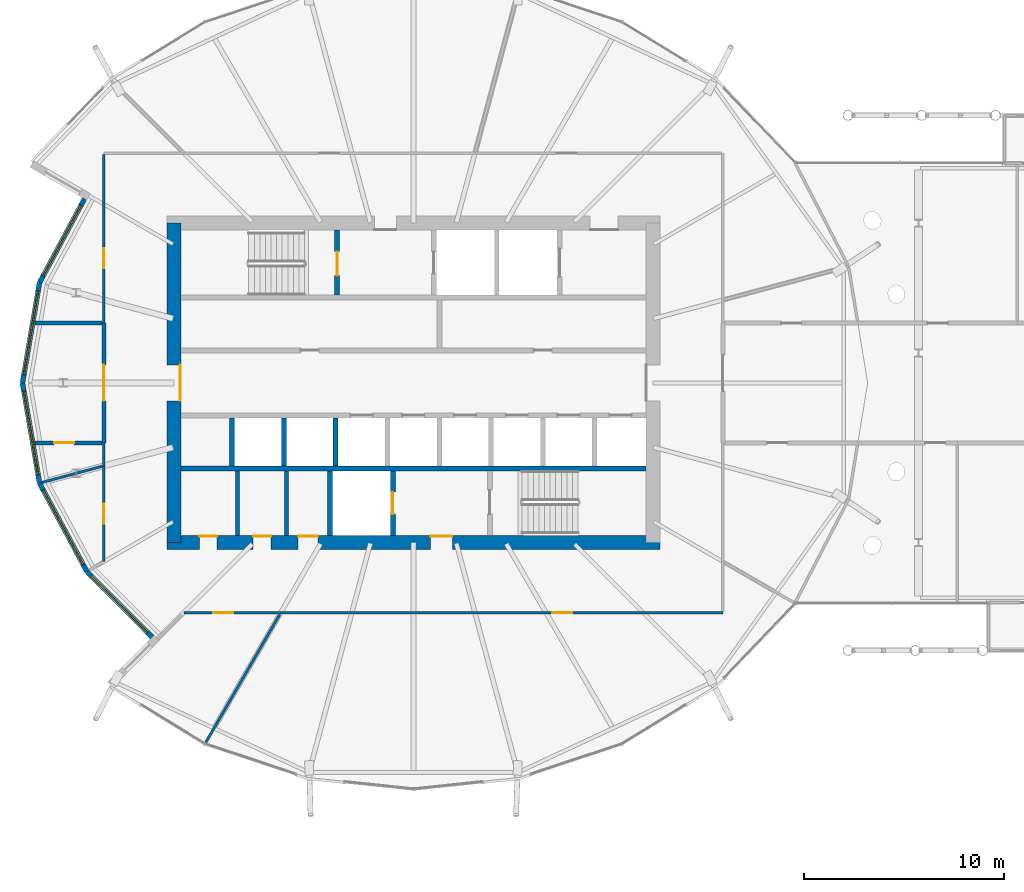
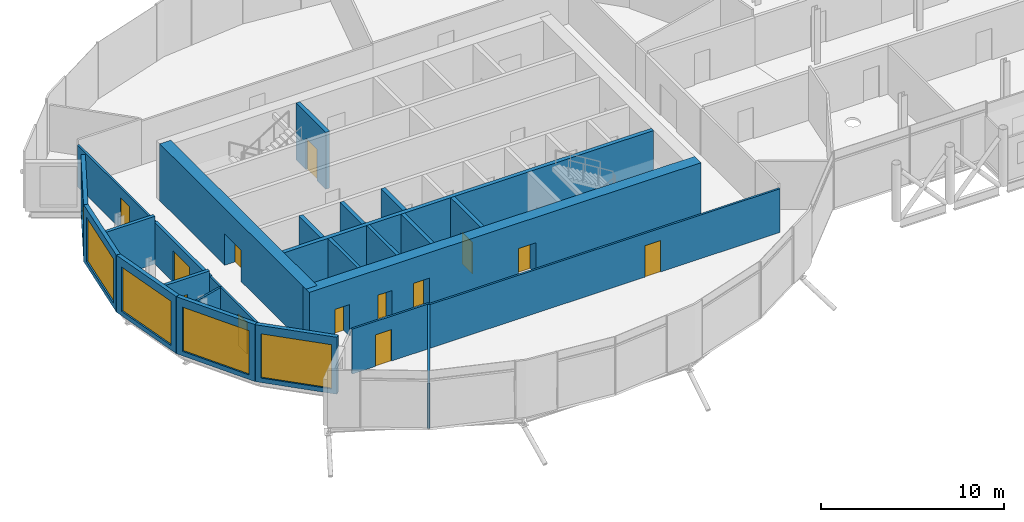
# One storey, part 24 of 40: 26 walls, 13 doors, 5 windows, 18 openings.
"""IFC4 building model written with IfcOpenShell, lengths in metres."""

import ifcopenshell
import ifcopenshell.guid

model = None  # the IFC model being written
_history = None  # IfcOwnerHistory: only IFC2X3 demands one
_inside = {}  # id of a spatial element -> (the spatial element, [elements in it])
_under = {}  # id of a project, library or spatial element -> (it, [spatial elements below it])
_declared = {}  # id of a project -> (the project, [libraries it declares])
_typed = {}  # id of a type object -> (the type object, [elements of that type])
_made_of = {}  # id of a material, layer set ... -> (it, [elements and type objects made of it])


def new_model(schema):
    """Start an empty IFC model of exactly this schema.

    Asked for "IFC4X3", IfcOpenShell would pick the latest addendum, in which some entities
    have other attributes; the version numbers below select the first issue.
    IFC2X3 requires an IfcOwnerHistory on every rooted entity: one is made here for all.
    """
    global model, _history
    if schema == "IFC4X3":
        model = ifcopenshell.file(schema_version=(4, 3, 0, 0))
    else:
        model = ifcopenshell.file(schema=schema)
    _inside.clear()
    _under.clear()
    _declared.clear()
    _typed.clear()
    _made_of.clear()
    _history = None
    if model.schema == "IFC2X3":
        org = make("IfcOrganization", Name="unknown")
        user = make(
            "IfcPersonAndOrganization",
            ThePerson=make("IfcPerson", FamilyName="unknown"),
            TheOrganization=org,
        )
        app = make(
            "IfcApplication",
            ApplicationDeveloper=org,
            Version="unknown",
            ApplicationFullName="unknown",
            ApplicationIdentifier="unknown",
        )
        _history = make(
            "IfcOwnerHistory",
            OwningUser=user,
            OwningApplication=app,
            ChangeAction="ADDED",
            CreationDate=0,
        )
    return model


def make(cls, **values):
    """One entity of the class cls with the attributes given. An attribute that is None is left unset."""
    return model.create_entity(
        cls, **{name: value for name, value in values.items() if value is not None}
    )


def rooted(cls, **values):
    """An entity with a GlobalId (a new one), such as an element, a storey or a relation."""
    return make(cls, GlobalId=ifcopenshell.guid.new(), OwnerHistory=_history, **values)


def si_unit(unit_type, name, prefix=None):
    """IfcSIUnit, for example si_unit("LENGTHUNIT", "METRE", prefix="MILLI")."""
    return make("IfcSIUnit", UnitType=unit_type, Prefix=prefix, Name=name)


def assignment(units):
    """IfcUnitAssignment: the units of a project."""
    return None if units is None else make("IfcUnitAssignment", Units=units)


def point(xyz):
    """IfcCartesianPoint."""
    return None if xyz is None else make("IfcCartesianPoint", Coordinates=xyz)


def direction(xyz):
    """IfcDirection."""
    return None if xyz is None else make("IfcDirection", DirectionRatios=xyz)


def frame(location, z_axis=None, x_axis=None):
    """IfcAxis2Placement3D, a coordinate frame: its origin and axes. An axis left out is left unset."""
    return make(
        "IfcAxis2Placement3D",
        Location=point(location),
        Axis=direction(z_axis),
        RefDirection=direction(x_axis),
    )


def frame_2d(location, x_axis=None):
    """IfcAxis2Placement2D, a coordinate frame in the plane: its origin and x axis."""
    return make(
        "IfcAxis2Placement2D", Location=point(location), RefDirection=direction(x_axis)
    )


def origin():
    """The frame at (0, 0, 0) with its axes left unset."""
    return frame((0.0, 0.0, 0.0))


def place(relative_to, where):
    """IfcLocalPlacement: puts the frame where relative to a parent placement (None: the world)."""
    return make(
        "IfcLocalPlacement", PlacementRelTo=relative_to, RelativePlacement=where
    )


def context(
    kind, dimensions, precision=None, world=None, true_north=None, identifier=None
):
    """IfcGeometricRepresentationContext, for example the 3D "Model" context."""
    return make(
        "IfcGeometricRepresentationContext",
        ContextIdentifier=identifier,
        ContextType=kind,
        CoordinateSpaceDimension=dimensions,
        Precision=precision,
        WorldCoordinateSystem=world,
        TrueNorth=true_north,
    )


def subcontext(parent, identifier, kind, view, scale=None):
    """IfcGeometricRepresentationSubContext, for example "Body" below "Model"."""
    return make(
        "IfcGeometricRepresentationSubContext",
        ContextIdentifier=identifier,
        ContextType=kind,
        ParentContext=parent,
        TargetScale=scale,
        TargetView=view,
    )


def project(units=None, contexts=None):
    """IfcProject with its units and contexts."""
    return rooted(
        "IfcProject",
        Name="project",
        RepresentationContexts=contexts,
        UnitsInContext=assignment(units),
    )


def spatial(cls, under=None, at=None, **own):
    """A site, building, storey or space (cls), placed at a placement, below another one or the project."""
    s = rooted(cls, ObjectPlacement=at, **own)
    if under is not None:
        _under.setdefault(under.id(), (under, []))[1].append(s)
    return s


def profile(cls, at=None, kind="AREA", **sizes):
    """A parametric profile (cls). Its sizes go by their IFC names, for example OverallWidth=200.0."""
    return make(cls, ProfileType=kind, Position=at, **sizes)


def rectangle(**sizes):
    """IfcRectangleProfileDef."""
    return profile("IfcRectangleProfileDef", **sizes)


def extrude(swept, where, along, depth):
    """IfcExtrudedAreaSolid: the profile swept, set in the frame where, extruded along a direction by depth."""
    return make(
        "IfcExtrudedAreaSolid",
        SweptArea=swept,
        Position=where,
        ExtrudedDirection=direction(along),
        Depth=depth,
    )


def shape(context_of_items, identifier, shape_type, items):
    """IfcShapeRepresentation: the items that make up one representation, for example the "Body"."""
    return make(
        "IfcShapeRepresentation",
        ContextOfItems=context_of_items,
        RepresentationIdentifier=identifier,
        RepresentationType=shape_type,
        Items=items,
    )


def material(Name=None, Category=None):
    """IfcMaterial."""
    return make("IfcMaterial", Name=Name, Category=Category)


def layer(
    of_material, thickness, ventilated=None, Name=None, Category=None, Priority=None
):
    """IfcMaterialLayer: one layer of a wall or slab, of a material (None: an air gap)."""
    return make(
        "IfcMaterialLayer",
        Material=of_material,
        LayerThickness=thickness,
        IsVentilated=ventilated,
        Name=Name,
        Category=Category,
        Priority=Priority,
    )


def layer_set(layers, Name=None):
    """IfcMaterialLayerSet."""
    return make("IfcMaterialLayerSet", MaterialLayers=layers, LayerSetName=Name)


def made_of(thing, what):
    """Note that an element or type object is made of a material, layer set ...; save() writes the relation."""
    if what is not None:
        _made_of.setdefault(what.id(), (what, []))[1].append(thing)
    return thing


def type_object(cls, material=None, **own):
    """A type object (cls), such as IfcWallType, which elements share."""
    return made_of(rooted(cls, **own), material)


def element(
    cls,
    number,
    at=None,
    inside=None,
    cuts=None,
    type_object=None,
    material=None,
    context=None,
    identifier="Body",
    shape_type=None,
    held_by="IfcProductDefinitionShape",
    body=None,
    shapes=None,
    **own,
):
    """One element of the class cls, such as IfcWall. Its Tag is "e" and its number.

    at: its placement. inside: the storey or other place that contains it. cuts: it is an
    opening in that element (IfcRelVoidsElement). A single representation is given by context,
    identifier, shape_type and body (its items); several are given by shapes. held_by: the class
    of the entity that holds the representations. save() writes the other relations.
    """
    e = rooted(cls, Tag="e%d" % number, ObjectPlacement=at, **own)
    if body is not None:
        shapes = [shape(context, identifier, shape_type, body)]
    if shapes is not None:
        e.Representation = make(held_by, Representations=shapes)
    if inside is not None:
        _inside.setdefault(inside.id(), (inside, []))[1].append(e)
    if cuts is not None:
        rooted(
            "IfcRelVoidsElement", RelatingBuildingElement=cuts, RelatedOpeningElement=e
        )
    if type_object is not None:
        _typed.setdefault(type_object.id(), (type_object, []))[1].append(e)
    return made_of(e, material)


def fill(opening, filler):
    """IfcRelFillsElement: the door or window that sits in an opening."""
    return rooted(
        "IfcRelFillsElement",
        RelatingOpeningElement=opening,
        RelatedBuildingElement=filler,
    )


def aggregate(whole, parts):
    """IfcRelAggregates: a whole, such as a stair, and the parts it consists of."""
    return rooted("IfcRelAggregates", RelatingObject=whole, RelatedObjects=parts)


def save(model, path):
    """Write the relations noted so far, then the file.

    IfcRelAggregates (storeys below a building ...), IfcRelContainedInSpatialStructure (elements
    in a storey), IfcRelDefinesByType, IfcRelAssociatesMaterial and IfcRelDeclares: one each for
    every whole, place, type object, material and project.
    """
    for whole, parts in _under.values():
        aggregate(whole, parts)
    for where, things in _inside.values():
        rooted(
            "IfcRelContainedInSpatialStructure",
            RelatedElements=things,
            RelatingStructure=where,
        )
    for kind, things in _typed.values():
        rooted("IfcRelDefinesByType", RelatedObjects=things, RelatingType=kind)
    for what, things in _made_of.values():
        rooted("IfcRelAssociatesMaterial", RelatedObjects=things, RelatingMaterial=what)
    for by, libraries in _declared.values():
        rooted("IfcRelDeclares", RelatingContext=by, RelatedDefinitions=libraries)
    model.write(path)


model = new_model("IFC4")

# Units and contexts
model_context = context("Model", 3, precision=1e-05, world=origin(), true_north=direction((0.0, 1.0)))
body_context = subcontext(model_context, "Body", "Model", "MODEL_VIEW")
ifc_project = project(units=[si_unit("LENGTHUNIT", "METRE"), si_unit("AREAUNIT", "SQUARE_METRE"), si_unit("VOLUMEUNIT", "CUBIC_METRE"), si_unit("PLANEANGLEUNIT", "RADIAN"), si_unit("MASSUNIT", "GRAM", prefix="KILO")], contexts=[model_context])

# Site, building, storey
site_placement = place(None, origin())
site = spatial("IfcSite", under=ifc_project, at=site_placement, CompositionType="ELEMENT")
building_placement = place(site_placement, origin())
building = spatial("IfcBuilding", under=site, at=building_placement, Name="Rimbun Link Towers", CompositionType="ELEMENT")
storey_placement = place(building_placement, frame((0.0, 0.0, 150.60009765625)))
storey = spatial("IfcBuildingStorey", under=building, at=storey_placement, Name="L36", CompositionType="ELEMENT", Elevation=150.60009765625)

# Wall, opening, window
ifc_material_1 = material(Name="Dark enamelled glass spandrel on insulated aluminium backpan", Category="aluminium")
ifc_layer_1 = layer(ifc_material_1, 0.25)
ifc_layer_set_1 = layer_set([ifc_layer_1], Name="CS dark enamelled spandrel wall 250")
wall_type_1 = type_object("IfcWallType", Name="CS dark enamelled spandrel wall 250", PredefinedType="STANDARD", material=ifc_layer_set_1)
wall_1_placement = place(storey_placement, frame((-50.4755859375, 5.0263671875, 0.0), z_axis=(0.0, 0.0, 1.0), x_axis=(0.47248174368, 0.881340457422, 0.0)))
wall_1 = element("IfcWall", 1, at=wall_1_placement, inside=storey, type_object=wall_type_1, Name="Crease spandrel wall", PredefinedType="STANDARD", context=body_context, shape_type="SweptSolid", body=[
    extrude(rectangle(XDim=4.76220703125, YDim=0.25, at=frame_2d((2.381103515625, 0.0))), origin(), (0.0, 0.0, 1.0), 3.7998046875),
])
opening_1_placement = place(wall_1_placement, frame((0.381103515625, 0.0, 0.300048828125)))
opening_1 = element("IfcOpeningElement", 2, at=opening_1_placement, cuts=wall_1, Name="Opening WR40H295", PredefinedType="OPENING", context=body_context, shape_type="SweptSolid", body=[
    extrude(rectangle(XDim=4.0, YDim=2.949951171875, at=frame_2d((2.0, 1.47509765625))), frame((0.0, 0.135009765625, 0.0), z_axis=(0.0, -1.0, 0.0), x_axis=(1.0, 0.0, 0.0)), (0.0, 0.0, 1.0), 0.27001953125),
])
ifc_material_2 = material(Name="Aluminium framed fixed window, dark tinted low-e glass", Category="aluminium")
window_type_1 = type_object("IfcWindowType", Name="WR ribbon window 4000X2950", PartitioningType="SINGLE_PANEL", PredefinedType="WINDOW", material=ifc_material_2)
window_1_placement = place(opening_1_placement, origin())
window_1 = element("IfcWindow", 3, at=window_1_placement, inside=storey, type_object=window_type_1, Name="Crease ribbon window", OverallHeight=2.949951171875, OverallWidth=4.0, PartitioningType="SINGLE_PANEL", PredefinedType="WINDOW", context=body_context, shape_type="SweptSolid", body=[
    extrude(rectangle(XDim=4.0, YDim=2.949951171875, at=frame_2d((2.0, 1.47509765625))), frame((0.0, 0.030029296875, 0.0), z_axis=(0.0, -1.0, 0.0), x_axis=(1.0, 0.0, 0.0)), (0.0, 0.0, 1.0), 0.06005859375),
])
fill(opening_1, window_1)

wall_2_placement = place(storey_placement, frame((-51.330322265625, 0.0, 0.0), z_axis=(0.0, 0.0, 1.0), x_axis=(0.167643894896, 0.985847617284, 0.0)))
wall_2 = element("IfcWall", 4, at=wall_2_placement, inside=storey, type_object=wall_type_1, Name="Crease spandrel wall", PredefinedType="STANDARD", context=body_context, shape_type="SweptSolid", body=[
    extrude(rectangle(XDim=5.0986328125, YDim=0.25, at=frame_2d((2.54931640625, 0.0))), origin(), (0.0, 0.0, 1.0), 3.7998046875),
])
opening_2_placement = place(wall_2_placement, frame((0.42431640625, 0.0, 0.300048828125)))
opening_2 = element("IfcOpeningElement", 5, at=opening_2_placement, cuts=wall_2, Name="Opening WR42H295", PredefinedType="OPENING", context=body_context, shape_type="SweptSolid", body=[
    extrude(rectangle(XDim=4.25, YDim=2.949951171875, at=frame_2d((2.125, 1.47509765625))), frame((0.0, 0.135009765625, 0.0), z_axis=(0.0, -1.0, 0.0), x_axis=(1.0, 0.0, 0.0)), (0.0, 0.0, 1.0), 0.27001953125),
])
ifc_material_3 = material(Name="Aluminium framed fixed window, dark tinted low-e glass", Category="aluminium")
window_type_2 = type_object("IfcWindowType", Name="WR ribbon window 4250X2950", PartitioningType="SINGLE_PANEL", PredefinedType="WINDOW", material=ifc_material_3)
window_2_placement = place(opening_2_placement, origin())
window_2 = element("IfcWindow", 6, at=window_2_placement, inside=storey, type_object=window_type_2, Name="Crease ribbon window", OverallHeight=2.949951171875, OverallWidth=4.25, PartitioningType="SINGLE_PANEL", PredefinedType="WINDOW", context=body_context, shape_type="SweptSolid", body=[
    extrude(rectangle(XDim=4.25, YDim=2.949951171875, at=frame_2d((2.125, 1.47509765625))), frame((0.0, 0.030029296875, 0.0), z_axis=(0.0, -1.0, 0.0), x_axis=(1.0, 0.0, 0.0)), (0.0, 0.0, 1.0), 0.06005859375),
])
fill(opening_2, window_2)

wall_3_placement = place(storey_placement, frame((-50.4755859375, -5.0263671875, 0.0), z_axis=(0.0, 0.0, 1.0), x_axis=(-0.167643894896, 0.985847617284, 0.0)))
wall_3 = element("IfcWall", 7, at=wall_3_placement, inside=storey, type_object=wall_type_1, Name="Crease spandrel wall", PredefinedType="STANDARD", context=body_context, shape_type="SweptSolid", body=[
    extrude(rectangle(XDim=5.0986328125, YDim=0.25, at=frame_2d((2.54931640625, 0.0))), origin(), (0.0, 0.0, 1.0), 3.7998046875),
])
opening_3_placement = place(wall_3_placement, frame((0.42431640625, 0.0, 0.300048828125)))
opening_3 = element("IfcOpeningElement", 8, at=opening_3_placement, cuts=wall_3, Name="Opening WR42H295", PredefinedType="OPENING", context=body_context, shape_type="SweptSolid", body=[
    extrude(rectangle(XDim=4.25, YDim=2.949951171875, at=frame_2d((2.125, 1.47509765625))), frame((0.0, 0.135009765625, 0.0), z_axis=(0.0, -1.0, 0.0), x_axis=(1.0, 0.0, 0.0)), (0.0, 0.0, 1.0), 0.27001953125),
])
window_3_placement = place(opening_3_placement, origin())
window_3 = element("IfcWindow", 9, at=window_3_placement, inside=storey, type_object=window_type_2, Name="Crease ribbon window", OverallHeight=2.949951171875, OverallWidth=4.25, PartitioningType="SINGLE_PANEL", PredefinedType="WINDOW", context=body_context, shape_type="SweptSolid", body=[
    extrude(rectangle(XDim=4.25, YDim=2.949951171875, at=frame_2d((2.125, 1.47509765625))), frame((0.0, 0.030029296875, 0.0), z_axis=(0.0, -1.0, 0.0), x_axis=(1.0, 0.0, 0.0)), (0.0, 0.0, 1.0), 0.06005859375),
])
fill(opening_3, window_3)

wall_4_placement = place(storey_placement, frame((-48.1005859375, -9.45654296875, 0.0), z_axis=(0.0, 0.0, 1.0), x_axis=(-0.472482867298, 0.881339855056, 0.0)))
wall_4 = element("IfcWall", 10, at=wall_4_placement, inside=storey, type_object=wall_type_1, Name="Crease spandrel wall", PredefinedType="STANDARD", context=body_context, shape_type="SweptSolid", body=[
    extrude(rectangle(XDim=5.026611328125, YDim=0.25, at=frame_2d((2.51318359375, 0.0))), origin(), (0.0, 0.0, 1.0), 3.7998046875),
])
opening_4_placement = place(wall_4_placement, frame((0.38818359375, 0.0, 0.300048828125)))
opening_4 = element("IfcOpeningElement", 11, at=opening_4_placement, cuts=wall_4, Name="Opening WR42H295", PredefinedType="OPENING", context=body_context, shape_type="SweptSolid", body=[
    extrude(rectangle(XDim=4.25, YDim=2.949951171875, at=frame_2d((2.125, 1.47509765625))), frame((0.0, 0.135009765625, 0.0), z_axis=(0.0, -1.0, 0.0), x_axis=(1.0, 0.0, 0.0)), (0.0, 0.0, 1.0), 0.27001953125),
])
window_4_placement = place(opening_4_placement, origin())
window_4 = element("IfcWindow", 12, at=window_4_placement, inside=storey, type_object=window_type_2, Name="Crease ribbon window", OverallHeight=2.949951171875, OverallWidth=4.25, PartitioningType="SINGLE_PANEL", PredefinedType="WINDOW", context=body_context, shape_type="SweptSolid", body=[
    extrude(rectangle(XDim=4.25, YDim=2.949951171875, at=frame_2d((2.125, 1.47509765625))), frame((0.0, 0.030029296875, 0.0), z_axis=(0.0, -1.0, 0.0), x_axis=(1.0, 0.0, 0.0)), (0.0, 0.0, 1.0), 0.06005859375),
])
fill(opening_4, window_4)

wall_5_placement = place(storey_placement, frame((-44.835693359375, -12.73193359375, 0.0), z_axis=(0.0, 0.0, 1.0), x_axis=(-0.705970868874, 0.708240871668, 0.0)))
wall_5 = element("IfcWall", 13, at=wall_5_placement, inside=storey, type_object=wall_type_1, Name="Crease spandrel wall", PredefinedType="STANDARD", context=body_context, shape_type="SweptSolid", body=[
    extrude(rectangle(XDim=4.624755859375, YDim=0.25, at=frame_2d((2.3125, 0.0))), origin(), (0.0, 0.0, 1.0), 3.7998046875),
])
opening_5_placement = place(wall_5_placement, frame((0.3125, 0.0, 0.300048828125)))
opening_5 = element("IfcOpeningElement", 14, at=opening_5_placement, cuts=wall_5, Name="Opening WR40H295", PredefinedType="OPENING", context=body_context, shape_type="SweptSolid", body=[
    extrude(rectangle(XDim=4.0, YDim=2.949951171875, at=frame_2d((2.0, 1.47509765625))), frame((0.0, 0.135009765625, 0.0), z_axis=(0.0, -1.0, 0.0), x_axis=(1.0, 0.0, 0.0)), (0.0, 0.0, 1.0), 0.27001953125),
])
window_5_placement = place(opening_5_placement, origin())
window_5 = element("IfcWindow", 15, at=window_5_placement, inside=storey, type_object=window_type_1, Name="Crease ribbon window", OverallHeight=2.949951171875, OverallWidth=4.0, PartitioningType="SINGLE_PANEL", PredefinedType="WINDOW", context=body_context, shape_type="SweptSolid", body=[
    extrude(rectangle(XDim=4.0, YDim=2.949951171875, at=frame_2d((2.0, 1.47509765625))), frame((0.0, 0.030029296875, 0.0), z_axis=(0.0, -1.0, 0.0), x_axis=(1.0, 0.0, 0.0)), (0.0, 0.0, 1.0), 0.06005859375),
])
fill(opening_5, window_5)

# Walls
ifc_material_4 = material(Name="Masonry blockwork", Category="masonry")
ifc_layer_2 = layer(ifc_material_4, 0.199951171875)
ifc_layer_set_2 = layer_set([ifc_layer_2], Name="Core partition 200")
wall_type_2 = type_object("IfcWallType", Name="Core partition 200", PredefinedType="PARTITIONING", material=ifc_layer_set_2)
for number, where, z_axis, x_axis, name in (
    (16, (-40.550048828125, -4.39990234375, 0.0), (0.0, 0.0, 1.0), (0.0, -1.0, 0.0), "L36 T1 core wall C1"),
    (17, (-38.10009765625, -4.39990234375, 0.0), (0.0, 0.0, 1.0), (0.0, -1.0, 0.0), "L36 T1 core wall C2"),
):
    element("IfcWall", number, at=place(storey_placement, frame(where, z_axis=z_axis, x_axis=x_axis)), inside=storey, type_object=wall_type_2, Name=name, PredefinedType="PARTITIONING", context=body_context, shape_type="SweptSolid", body=[
        extrude(rectangle(XDim=3.25, YDim=0.199951171875, at=frame_2d((1.625, 0.0))), origin(), (0.0, 0.0, 1.0), 3.7998046875),
    ])

# Wall, openings, doors
ifc_material_5 = material(Name="Concrete C60/75", Category="concrete")
ifc_layer_3 = layer(ifc_material_5, 0.699951171875)
ifc_layer_set_3 = layer_set([ifc_layer_3], Name="Core shear wall 700")
wall_type_3 = type_object("IfcWallType", Name="Core shear wall 700", PredefinedType="SHEAR", material=ifc_layer_set_3)
wall_6_placement = place(storey_placement, frame((-44.10009765625, -8.0, 0.0), z_axis=(0.0, 0.0, 1.0), x_axis=(1.0, 0.0, 0.0)))
wall_6 = element("IfcWall", 18, at=wall_6_placement, inside=storey, type_object=wall_type_3, Name="L36 T1 core wall S", PredefinedType="SHEAR", context=body_context, shape_type="SweptSolid", body=[
    extrude(rectangle(XDim=24.7001953125, YDim=0.699951171875, at=frame_2d((12.35009765625, 0.0))), origin(), (0.0, 0.0, 1.0), 3.7998046875),
])
opening_6_placement = place(wall_6_placement, frame((13.199951171875, 0.0, 0.0)))
opening_6 = element("IfcOpeningElement", 19, at=opening_6_placement, cuts=wall_6, Name="Opening C1DCF01S", PredefinedType="OPENING", context=body_context, shape_type="SweptSolid", body=[
    extrude(rectangle(XDim=1.10009765625, YDim=2.10009765625, at=frame_2d((0.550048828125, 1.050048828125))), frame((0.0, 0.35986328125, 0.0), z_axis=(0.0, -1.0, 0.0), x_axis=(1.0, 0.0, 0.0)), (0.0, 0.0, 1.0), 0.719970703125),
])
opening_7_placement = place(wall_6_placement, frame((1.625, 0.0, 0.0)))
opening_7 = element("IfcOpeningElement", 20, at=opening_7_placement, cuts=wall_6, Name="Opening C1DWC02S", PredefinedType="OPENING", context=body_context, shape_type="SweptSolid", body=[
    extrude(rectangle(XDim=0.89990234375, YDim=2.10009765625, at=frame_2d((0.449951171875, 1.050048828125))), frame((0.0, 0.35986328125, 0.0), z_axis=(0.0, -1.0, 0.0), x_axis=(1.0, 0.0, 0.0)), (0.0, 0.0, 1.0), 0.719970703125),
])
opening_8_placement = place(wall_6_placement, frame((4.324951171875, 0.0, 0.0)))
opening_8 = element("IfcOpeningElement", 21, at=opening_8_placement, cuts=wall_6, Name="Opening C1DWC03S", PredefinedType="OPENING", context=body_context, shape_type="SweptSolid", body=[
    extrude(rectangle(XDim=0.89990234375, YDim=2.10009765625, at=frame_2d((0.449951171875, 1.050048828125))), frame((0.0, 0.35986328125, 0.0), z_axis=(0.0, -1.0, 0.0), x_axis=(1.0, 0.0, 0.0)), (0.0, 0.0, 1.0), 0.719970703125),
])
opening_9_placement = place(wall_6_placement, frame((6.574951171875, 0.0, 0.0)))
opening_9 = element("IfcOpeningElement", 22, at=opening_9_placement, cuts=wall_6, Name="Opening C1DAW04S", PredefinedType="OPENING", context=body_context, shape_type="SweptSolid", body=[
    extrude(rectangle(XDim=1.0, YDim=2.10009765625, at=frame_2d((0.5, 1.050048828125))), frame((0.0, 0.35986328125, 0.0), z_axis=(0.0, -1.0, 0.0), x_axis=(1.0, 0.0, 0.0)), (0.0, 0.0, 1.0), 0.719970703125),
])
ifc_material_6 = material(Name="Timber", Category="wood")
door_type_1 = type_object("IfcDoorType", Name="Accessible WC door", OperationType="SINGLE_SWING_LEFT", PredefinedType="DOOR", material=ifc_material_6)
door_1_placement = place(opening_9_placement, origin())
door_1 = element("IfcDoor", 23, at=door_1_placement, inside=storey, type_object=door_type_1, Name="L36 T1 accessible wc door", OperationType="SINGLE_SWING_RIGHT", OverallHeight=2.10009765625, OverallWidth=1.0, PredefinedType="DOOR", context=body_context, shape_type="SweptSolid", body=[
    extrude(rectangle(XDim=1.0, YDim=2.10009765625, at=frame_2d((0.5, 1.050048828125))), frame((0.0, 0.35009765625, 0.0), z_axis=(0.0, -1.0, 0.0), x_axis=(1.0, 0.0, 0.0)), (0.0, 0.0, 1.0), 0.050048828125),
])
fill(opening_9, door_1)
ifc_material_7 = material(Name="Steel fire door set", Category="steel")
door_type_2 = type_object("IfcDoorType", Name="Core fire door single", OperationType="SINGLE_SWING_LEFT", PredefinedType="DOOR", material=ifc_material_7)
door_2_placement = place(opening_6_placement, origin())
door_2 = element("IfcDoor", 24, at=door_2_placement, inside=storey, type_object=door_type_2, Name="L36 T1 firefighting lobby s door", OperationType="SINGLE_SWING_RIGHT", OverallHeight=2.10009765625, OverallWidth=1.10009765625, PredefinedType="DOOR", context=body_context, shape_type="SweptSolid", body=[
    extrude(rectangle(XDim=1.10009765625, YDim=2.10009765625, at=frame_2d((0.550048828125, 1.050048828125))), frame((0.0, 0.35009765625, 0.0), z_axis=(0.0, -1.0, 0.0), x_axis=(1.0, 0.0, 0.0)), (0.0, 0.0, 1.0), 0.050048828125),
])
fill(opening_6, door_2)
ifc_material_8 = material(Name="Timber", Category="wood")
door_type_3 = type_object("IfcDoorType", Name="WC door", OperationType="SINGLE_SWING_LEFT", PredefinedType="DOOR", material=ifc_material_8)
door_3_placement = place(opening_7_placement, origin())
door_3 = element("IfcDoor", 25, at=door_3_placement, inside=storey, type_object=door_type_3, Name="L36 T1 male wc door", OperationType="SINGLE_SWING_RIGHT", OverallHeight=2.10009765625, OverallWidth=0.89990234375, PredefinedType="DOOR", context=body_context, shape_type="SweptSolid", body=[
    extrude(rectangle(XDim=0.89990234375, YDim=2.10009765625, at=frame_2d((0.449951171875, 1.050048828125))), frame((0.0, 0.35009765625, 0.0), z_axis=(0.0, -1.0, 0.0), x_axis=(1.0, 0.0, 0.0)), (0.0, 0.0, 1.0), 0.050048828125),
])
fill(opening_7, door_3)
door_4_placement = place(opening_8_placement, origin())
door_4 = element("IfcDoor", 26, at=door_4_placement, inside=storey, type_object=door_type_3, Name="L36 T1 female wc door", OperationType="SINGLE_SWING_LEFT", OverallHeight=2.10009765625, OverallWidth=0.89990234375, PredefinedType="DOOR", context=body_context, shape_type="SweptSolid", body=[
    extrude(rectangle(XDim=0.89990234375, YDim=2.10009765625, at=frame_2d((0.449951171875, 1.050048828125))), frame((0.0, 0.35009765625, 0.0), z_axis=(0.0, -1.0, 0.0), x_axis=(1.0, 0.0, 0.0)), (0.0, 0.0, 1.0), 0.050048828125),
])
fill(opening_8, door_4)

# Wall, opening, door
wall_7_placement = place(storey_placement, frame((-43.75, -8.0, 0.0), z_axis=(0.0, 0.0, 1.0), x_axis=(0.0, 1.0, 0.0)))
wall_7 = element("IfcWall", 27, at=wall_7_placement, inside=storey, type_object=wall_type_3, Name="L36 T1 core wall W", PredefinedType="SHEAR", context=body_context, shape_type="SweptSolid", body=[
    extrude(rectangle(XDim=16.0, YDim=0.699951171875, at=frame_2d((8.0, 0.0))), origin(), (0.0, 0.0, 1.0), 3.7998046875),
])
opening_10_placement = place(wall_7_placement, frame((7.10009765625, 0.0, 0.0)))
opening_10 = element("IfcOpeningElement", 28, at=opening_10_placement, cuts=wall_7, Name="Opening C1DCL01W", PredefinedType="OPENING", context=body_context, shape_type="SweptSolid", body=[
    extrude(rectangle(XDim=1.800048828125, YDim=2.10009765625, at=frame_2d((0.89990234375, 1.050048828125))), frame((0.0, 0.35986328125, 0.0), z_axis=(0.0, -1.0, 0.0), x_axis=(1.0, 0.0, 0.0)), (0.0, 0.0, 1.0), 0.719970703125),
])
ifc_material_9 = material(Name="Steel fire door set", Category="steel")
door_type_4 = type_object("IfcDoorType", Name="Core lobby door double", OperationType="DOUBLE_DOOR_SINGLE_SWING", PredefinedType="DOOR", material=ifc_material_9)
door_5_placement = place(opening_10_placement, origin())
door_5 = element("IfcDoor", 29, at=door_5_placement, inside=storey, type_object=door_type_4, Name="L36 T1 lift lobby door", OperationType="DOUBLE_DOOR_SINGLE_SWING", OverallHeight=2.10009765625, OverallWidth=1.800048828125, PredefinedType="DOOR", context=body_context, shape_type="SweptSolid", body=[
    extrude(rectangle(XDim=1.800048828125, YDim=2.10009765625, at=frame_2d((0.89990234375, 1.050048828125))), frame((0.0, -0.2998046875, 0.0), z_axis=(0.0, -1.0, 0.0), x_axis=(1.0, 0.0, 0.0)), (0.0, 0.0, 1.0), 0.050048828125),
])
fill(opening_10, door_5)

ifc_material_10 = material(Name="Concrete blockwork", Category="masonry")
ifc_layer_4 = layer(ifc_material_10, 0.199951171875)
ifc_layer_set_4 = layer_set([ifc_layer_4], Name="Fire partition 200 blockwork")
wall_type_4 = type_object("IfcWallType", Name="Fire partition 200 blockwork", PredefinedType="PARTITIONING", material=ifc_layer_set_4)
wall_8_placement = place(storey_placement, frame((-47.25, 3.0, 0.0), z_axis=(0.0, 0.0, 1.0), x_axis=(0.0, -1.0, 0.0)))
wall_8 = element("IfcWall", 30, at=wall_8_placement, inside=storey, type_object=wall_type_4, Name="TW/PW/L36/007", PredefinedType="PARTITIONING", context=body_context, shape_type="SweptSolid", body=[
    extrude(rectangle(XDim=6.0, YDim=0.199951171875, at=frame_2d((3.0, 0.0))), origin(), (0.0, 0.0, 1.0), 2.7587890625),
])
opening_11_placement = place(wall_8_placement, frame((2.10009765625, 0.0, 0.0)))
opening_11 = element("IfcOpeningElement", 31, at=opening_11_placement, cuts=wall_8, Name="Opening TW D36.25", PredefinedType="OPENING", context=body_context, shape_type="SweptSolid", body=[
    extrude(rectangle(XDim=1.800048828125, YDim=2.10009765625, at=frame_2d((0.89990234375, 1.050048828125))), frame((0.0, 0.10986328125, 0.0), z_axis=(0.0, -1.0, 0.0), x_axis=(1.0, 0.0, 0.0)), (0.0, 0.0, 1.0), 0.219970703125),
])
ifc_material_11 = material(Name="Steel fire door set", Category="steel")
door_type_5 = type_object("IfcDoorType", Name="Fire door double leaf 1800 x 2100", OperationType="NOTDEFINED", PredefinedType="DOOR", material=ifc_material_11)
door_6_placement = place(opening_11_placement, origin())
door_6 = element("IfcDoor", 32, at=door_6_placement, inside=storey, type_object=door_type_5, Name="TW/DR/L36/025", OperationType="DOUBLE_DOOR_SINGLE_SWING", OverallHeight=2.10009765625, OverallWidth=1.800048828125, PredefinedType="DOOR", context=body_context, shape_type="SweptSolid", body=[
    extrude(rectangle(XDim=1.800048828125, YDim=2.10009765625, at=frame_2d((0.89990234375, 1.050048828125))), frame((0.0, 0.02490234375, 0.0), z_axis=(0.0, -1.0, 0.0), x_axis=(1.0, 0.0, 0.0)), (0.0, 0.0, 1.0), 0.050048828125),
])
fill(opening_11, door_6)

wall_9_placement = place(storey_placement, frame((-50.693359375, -3.0, 0.0), z_axis=(0.0, 0.0, 1.0), x_axis=(1.0, 0.0, 0.0)))
wall_9 = element("IfcWall", 33, at=wall_9_placement, inside=storey, type_object=wall_type_4, Name="TW/PW/L36/024", PredefinedType="PARTITIONING", context=body_context, shape_type="SweptSolid", body=[
    extrude(rectangle(XDim=3.34326171875, YDim=0.199951171875, at=frame_2d((1.671630859375, 0.0))), origin(), (0.0, 0.0, 1.0), 3.19384765625),
])
opening_12_placement = place(wall_9_placement, frame((0.955078125, 0.0, 0.0)))
opening_12 = element("IfcOpeningElement", 34, at=opening_12_placement, cuts=wall_9, Name="Opening TW D36.08", PredefinedType="OPENING", context=body_context, shape_type="SweptSolid", body=[
    extrude(rectangle(XDim=1.0, YDim=2.10009765625, at=frame_2d((0.5, 1.050048828125))), frame((0.0, 0.10986328125, 0.0), z_axis=(0.0, -1.0, 0.0), x_axis=(1.0, 0.0, 0.0)), (0.0, 0.0, 1.0), 0.219970703125),
])
ifc_material_12 = material(Name="Steel fire door set", Category="steel")
door_type_6 = type_object("IfcDoorType", Name="Fire door single leaf 1000 x 2100", OperationType="NOTDEFINED", PredefinedType="DOOR", material=ifc_material_12)
door_7_placement = place(opening_12_placement, origin())
door_7 = element("IfcDoor", 35, at=door_7_placement, inside=storey, type_object=door_type_6, Name="TW/DR/L36/008", OperationType="SINGLE_SWING_LEFT", OverallHeight=2.10009765625, OverallWidth=1.0, PredefinedType="DOOR", context=body_context, shape_type="SweptSolid", body=[
    extrude(rectangle(XDim=1.0, YDim=2.10009765625, at=frame_2d((0.5, 1.050048828125))), frame((0.0, 0.02490234375, 0.0), z_axis=(0.0, -1.0, 0.0), x_axis=(1.0, 0.0, 0.0)), (0.0, 0.0, 1.0), 0.050048828125),
])
fill(opening_12, door_7)

# Wall
wall_10_placement = place(storey_placement, frame((-47.35009765625, 3.0, 0.0), z_axis=(0.0, 0.0, 1.0), x_axis=(-1.0, 0.0, 0.0)))
element("IfcWall", 36, at=wall_10_placement, inside=storey, type_object=wall_type_4, Name="TW/PW/L36/025", PredefinedType="PARTITIONING", context=body_context, shape_type="SweptSolid", body=[
    extrude(rectangle(XDim=3.34326171875, YDim=0.199951171875, at=frame_2d((1.671630859375, 0.0))), origin(), (0.0, 0.0, 1.0), 3.19384765625),
])

# Wall, opening, door
ifc_material_13 = material(Name="Gypsum board on steel studs", Category="steel")
ifc_layer_5 = layer(ifc_material_13, 0.125)
ifc_layer_set_5 = layer_set([ifc_layer_5], Name="Partition 125 board on studs")
wall_type_5 = type_object("IfcWallType", Name="Partition 125 board on studs", PredefinedType="PARTITIONING", material=ifc_layer_set_5)
wall_11_placement = place(storey_placement, frame((-47.25, -4.1533203125, 0.0), z_axis=(0.0, 0.0, 1.0), x_axis=(0.0, -1.0, 0.0)))
wall_11 = element("IfcWall", 37, at=wall_11_placement, inside=storey, type_object=wall_type_5, Name="TW/PW/L36/008", PredefinedType="PARTITIONING", context=body_context, shape_type="SweptSolid", body=[
    extrude(rectangle(XDim=4.795654296875, YDim=0.125, at=frame_2d((2.39794921875, 0.0))), origin(), (0.0, 0.0, 1.0), 2.7587890625),
])
opening_13_placement = place(wall_11_placement, frame((1.89794921875, 0.0, 0.0)))
opening_13 = element("IfcOpeningElement", 38, at=opening_13_placement, cuts=wall_11, Name="Opening TW D36.01", PredefinedType="OPENING", context=body_context, shape_type="SweptSolid", body=[
    extrude(rectangle(XDim=1.0, YDim=2.10009765625, at=frame_2d((0.5, 1.050048828125))), frame((0.0, 0.072509765625, 0.0), z_axis=(0.0, -1.0, 0.0), x_axis=(1.0, 0.0, 0.0)), (0.0, 0.0, 1.0), 0.14501953125),
])
ifc_material_14 = material(Name="Timber door set", Category="wood")
door_type_7 = type_object("IfcDoorType", Name="Door single leaf 1000 x 2100", OperationType="NOTDEFINED", PredefinedType="DOOR", material=ifc_material_14)
door_8_placement = place(opening_13_placement, origin())
door_8 = element("IfcDoor", 39, at=door_8_placement, inside=storey, type_object=door_type_7, Name="TW/DR/L36/001", OperationType="SINGLE_SWING_RIGHT", OverallHeight=2.10009765625, OverallWidth=1.0, PredefinedType="DOOR", context=body_context, shape_type="SweptSolid", body=[
    extrude(rectangle(XDim=1.0, YDim=2.10009765625, at=frame_2d((0.5, 1.050048828125))), frame((0.0, 0.02490234375, 0.0), z_axis=(0.0, -1.0, 0.0), x_axis=(1.0, 0.0, 0.0)), (0.0, 0.0, 1.0), 0.050048828125),
])
fill(opening_13, door_8)

wall_12_placement = place(storey_placement, frame((-43.25, -11.5, 0.0), z_axis=(0.0, 0.0, 1.0), x_axis=(1.0, 0.0, 0.0)))
wall_12 = element("IfcWall", 40, at=wall_12_placement, inside=storey, type_object=wall_type_5, Name="TW/PW/L36/010", PredefinedType="PARTITIONING", context=body_context, shape_type="SweptSolid", body=[
    extrude(rectangle(XDim=4.860595703125, YDim=0.125, at=frame_2d((2.43017578125, 0.0))), origin(), (0.0, 0.0, 1.0), 2.996826171875),
])
opening_14_placement = place(wall_12_placement, frame((1.486083984375, 0.0, 0.0)))
opening_14 = element("IfcOpeningElement", 41, at=opening_14_placement, cuts=wall_12, Name="Opening TW D36.02", PredefinedType="OPENING", context=body_context, shape_type="SweptSolid", body=[
    extrude(rectangle(XDim=1.0, YDim=2.10009765625, at=frame_2d((0.5, 1.050048828125))), frame((0.0, 0.072509765625, 0.0), z_axis=(0.0, -1.0, 0.0), x_axis=(1.0, 0.0, 0.0)), (0.0, 0.0, 1.0), 0.14501953125),
])
door_9_placement = place(opening_14_placement, origin())
door_9 = element("IfcDoor", 42, at=door_9_placement, inside=storey, type_object=door_type_7, Name="TW/DR/L36/002", OperationType="SINGLE_SWING_LEFT", OverallHeight=2.10009765625, OverallWidth=1.0, PredefinedType="DOOR", context=body_context, shape_type="SweptSolid", body=[
    extrude(rectangle(XDim=1.0, YDim=2.10009765625, at=frame_2d((0.5, 1.050048828125))), frame((0.0, 0.02490234375, 0.0), z_axis=(0.0, -1.0, 0.0), x_axis=(1.0, 0.0, 0.0)), (0.0, 0.0, 1.0), 0.050048828125),
])
fill(opening_14, door_9)

wall_13_placement = place(storey_placement, frame((-38.389404296875, -11.5, 0.0), z_axis=(0.0, 0.0, 1.0), x_axis=(1.0, 0.0, 0.0)))
wall_13 = element("IfcWall", 43, at=wall_13_placement, inside=storey, type_object=wall_type_5, Name="TW/PW/L36/012", PredefinedType="PARTITIONING", context=body_context, shape_type="SweptSolid", body=[
    extrude(rectangle(XDim=22.139404296875, YDim=0.125, at=frame_2d((11.06982421875, 0.0))), origin(), (0.0, 0.0, 1.0), 2.9169921875),
])
opening_15_placement = place(wall_13_placement, frame((13.60595703125, 0.0, 0.0)))
opening_15 = element("IfcOpeningElement", 44, at=opening_15_placement, cuts=wall_13, Name="Opening TW D36.03", PredefinedType="OPENING", context=body_context, shape_type="SweptSolid", body=[
    extrude(rectangle(XDim=1.0, YDim=2.10009765625, at=frame_2d((0.5, 1.050048828125))), frame((0.0, 0.072509765625, 0.0), z_axis=(0.0, -1.0, 0.0), x_axis=(1.0, 0.0, 0.0)), (0.0, 0.0, 1.0), 0.14501953125),
])
door_10_placement = place(opening_15_placement, origin())
door_10 = element("IfcDoor", 45, at=door_10_placement, inside=storey, type_object=door_type_7, Name="TW/DR/L36/003", OperationType="SINGLE_SWING_RIGHT", OverallHeight=2.10009765625, OverallWidth=1.0, PredefinedType="DOOR", context=body_context, shape_type="SweptSolid", body=[
    extrude(rectangle(XDim=1.0, YDim=2.10009765625, at=frame_2d((0.5, 1.050048828125))), frame((0.0, 0.02490234375, 0.0), z_axis=(0.0, -1.0, 0.0), x_axis=(1.0, 0.0, 0.0)), (0.0, 0.0, 1.0), 0.050048828125),
])
fill(opening_15, door_10)

# Wall
wall_14_placement = place(storey_placement, frame((-47.25, -3.0, 0.0), z_axis=(0.0, 0.0, 1.0), x_axis=(0.0, -1.0, 0.0)))
element("IfcWall", 46, at=wall_14_placement, inside=storey, type_object=wall_type_5, Name="TW/PW/L36/019", PredefinedType="PARTITIONING", context=body_context, shape_type="SweptSolid", body=[
    extrude(rectangle(XDim=1.1533203125, YDim=0.125, at=frame_2d((0.57666015625, 0.0))), origin(), (0.0, 0.0, 1.0), 2.7587890625),
])

# Wall, opening, door
wall_15_placement = place(storey_placement, frame((-47.25, 11.4375, 0.0), z_axis=(0.0, 0.0, 1.0), x_axis=(0.0, -1.0, 0.0)))
wall_15 = element("IfcWall", 47, at=wall_15_placement, inside=storey, type_object=wall_type_5, Name="TW/PW/L36/021", PredefinedType="PARTITIONING", context=body_context, shape_type="SweptSolid", body=[
    extrude(rectangle(XDim=8.4375, YDim=0.125, at=frame_2d((4.21875, 0.0))), origin(), (0.0, 0.0, 1.0), 2.7587890625),
])
opening_16_placement = place(wall_15_placement, frame((4.698974609375, 0.0, 0.0)))
opening_16 = element("IfcOpeningElement", 48, at=opening_16_placement, cuts=wall_15, Name="Opening TW D36.09", PredefinedType="OPENING", context=body_context, shape_type="SweptSolid", body=[
    extrude(rectangle(XDim=1.0, YDim=2.10009765625, at=frame_2d((0.5, 1.050048828125))), frame((0.0, 0.072509765625, 0.0), z_axis=(0.0, -1.0, 0.0), x_axis=(1.0, 0.0, 0.0)), (0.0, 0.0, 1.0), 0.14501953125),
])
door_11_placement = place(opening_16_placement, origin())
door_11 = element("IfcDoor", 49, at=door_11_placement, inside=storey, type_object=door_type_7, Name="TW/DR/L36/009", OperationType="SINGLE_SWING_RIGHT", OverallHeight=2.10009765625, OverallWidth=1.0, PredefinedType="DOOR", context=body_context, shape_type="SweptSolid", body=[
    extrude(rectangle(XDim=1.0, YDim=2.10009765625, at=frame_2d((0.5, 1.050048828125))), frame((0.0, 0.02490234375, 0.0), z_axis=(0.0, -1.0, 0.0), x_axis=(1.0, 0.0, 0.0)), (0.0, 0.0, 1.0), 0.050048828125),
])
fill(opening_16, door_11)

# Walls
wall_16_placement = place(storey_placement, frame((-47.32861328125, -4.17431640625, 0.0), z_axis=(0.0, 0.0, 1.0), x_axis=(-0.965931708511, -0.258797091352, 0.0)))
element("IfcWall", 50, at=wall_16_placement, inside=storey, type_object=wall_type_5, Name="TW/PW/L36/026", PredefinedType="PARTITIONING", context=body_context, shape_type="SweptSolid", body=[
    extrude(rectangle(XDim=3.1337890625, YDim=0.125, at=frame_2d((1.56689453125, 0.0))), origin(), (0.0, 0.0, 1.0), 2.7587890625),
])
wall_17_placement = place(storey_placement, frame((-42.215576171875, -18.126708984375, 0.0), z_axis=(0.0, 0.0, 1.0), x_axis=(0.500016605963, 0.866015816115, 0.0)))
element("IfcWall", 51, at=wall_17_placement, inside=storey, type_object=wall_type_5, Name="TW/PW/L36/027", PredefinedType="PARTITIONING", context=body_context, shape_type="SweptSolid", body=[
    extrude(rectangle(XDim=7.543701171875, YDim=0.125, at=frame_2d((3.77197265625, 0.0))), origin(), (0.0, 0.0, 1.0), 2.996826171875),
])
ifc_material_15 = material(Name="Concrete C60/75", Category="concrete")
ifc_layer_6 = layer(ifc_material_15, 0.25)
ifc_layer_set_6 = layer_set([ifc_layer_6], Name="Shaft wall 250")
wall_type_6 = type_object("IfcWallType", Name="Shaft wall 250", PredefinedType="SHEAR", material=ifc_layer_set_6)
wall_18_placement = place(storey_placement, frame((-43.39990234375, -4.27490234375, 0.0), z_axis=(0.0, 0.0, 1.0), x_axis=(1.0, 0.0, 0.0)))
element("IfcWall", 52, at=wall_18_placement, inside=storey, type_object=wall_type_6, Name="L36 T1 core wall BS", PredefinedType="SHEAR", context=body_context, shape_type="SweptSolid", body=[
    extrude(rectangle(XDim=23.2998046875, YDim=0.25, at=frame_2d((11.64990234375, 0.0))), origin(), (0.0, 0.0, 1.0), 3.7998046875),
])
for number, where, z_axis, x_axis, name in (
    (53, (-40.83056640625, -4.14990234375, 0.0), (0.0, 0.0, 1.0), (0.0, 1.0, 0.0), "L36 T1 core wall DS0"),
    (54, (-38.236083984375, -4.14990234375, 0.0), (0.0, 0.0, 1.0), (0.0, 1.0, 0.0), "L36 T1 core wall DS1"),
    (55, (-35.6416015625, -4.14990234375, 0.0), (0.0, 0.0, 1.0), (0.0, 1.0, 0.0), "L36 T1 core wall DS2"),
):
    element("IfcWall", number, at=place(storey_placement, frame(where, z_axis=z_axis, x_axis=x_axis)), inside=storey, type_object=wall_type_6, Name=name, PredefinedType="SHEAR", context=body_context, shape_type="SweptSolid", body=[
        extrude(rectangle(XDim=2.39990234375, YDim=0.25, at=frame_2d((1.199951171875, 0.0))), origin(), (0.0, 0.0, 1.0), 3.7998046875),
    ])

# Wall, opening, door
wall_19_placement = place(storey_placement, frame((-35.574951171875, 4.39990234375, 0.0), z_axis=(0.0, 0.0, 1.0), x_axis=(0.0, 1.0, 0.0)))
wall_19 = element("IfcWall", 56, at=wall_19_placement, inside=storey, type_object=wall_type_6, Name="L36 T1 core wall A1", PredefinedType="SHEAR", context=body_context, shape_type="SweptSolid", body=[
    extrude(rectangle(XDim=3.25, YDim=0.25, at=frame_2d((1.625, 0.0))), origin(), (0.0, 0.0, 1.0), 3.7998046875),
])
opening_17_placement = place(wall_19_placement, frame((0.97509765625, 0.0, 0.0)))
opening_17 = element("IfcOpeningElement", 57, at=opening_17_placement, cuts=wall_19, Name="Opening C1DST01A1", PredefinedType="OPENING", context=body_context, shape_type="SweptSolid", body=[
    extrude(rectangle(XDim=1.199951171875, YDim=2.10009765625, at=frame_2d((0.60009765625, 1.050048828125))), frame((0.0, 0.135009765625, 0.0), z_axis=(0.0, -1.0, 0.0), x_axis=(1.0, 0.0, 0.0)), (0.0, 0.0, 1.0), 0.27001953125),
])
ifc_material_16 = material(Name="Steel fire door set", Category="steel")
door_type_8 = type_object("IfcDoorType", Name="Stair door", OperationType="SINGLE_SWING_LEFT", PredefinedType="DOOR", material=ifc_material_16)
door_12_placement = place(opening_17_placement, origin())
door_12 = element("IfcDoor", 58, at=door_12_placement, inside=storey, type_object=door_type_8, Name="L36 T1 stair a door", OperationType="SINGLE_SWING_RIGHT", OverallHeight=2.10009765625, OverallWidth=1.199951171875, PredefinedType="DOOR", context=body_context, shape_type="SweptSolid", body=[
    extrude(rectangle(XDim=1.199951171875, YDim=2.10009765625, at=frame_2d((0.60009765625, 1.050048828125))), frame((0.0, 0.02490234375, 0.0), z_axis=(0.0, -1.0, 0.0), x_axis=(1.0, 0.0, 0.0)), (0.0, 0.0, 1.0), 0.050048828125),
])
fill(opening_17, door_12)

wall_20_placement = place(storey_placement, frame((-32.77490234375, -4.39990234375, 0.0), z_axis=(0.0, 0.0, 1.0), x_axis=(0.0, -1.0, 0.0)))
wall_20 = element("IfcWall", 59, at=wall_20_placement, inside=storey, type_object=wall_type_6, Name="L36 T1 core wall B2", PredefinedType="SHEAR", context=body_context, shape_type="SweptSolid", body=[
    extrude(rectangle(XDim=3.25, YDim=0.25, at=frame_2d((1.625, 0.0))), origin(), (0.0, 0.0, 1.0), 3.7998046875),
])
opening_18_placement = place(wall_20_placement, frame((1.074951171875, 0.0, 0.0)))
opening_18 = element("IfcOpeningElement", 60, at=opening_18_placement, cuts=wall_20, Name="Opening LD-T1-FF2", PredefinedType="OPENING", context=body_context, shape_type="SweptSolid", body=[
    extrude(rectangle(XDim=1.10009765625, YDim=2.10009765625, at=frame_2d((0.550048828125, 1.050048828125))), frame((0.0, 0.135009765625, 0.0), z_axis=(0.0, -1.0, 0.0), x_axis=(1.0, 0.0, 0.0)), (0.0, 0.0, 1.0), 0.27001953125),
])
ifc_material_17 = material(Name="Stainless steel grade 316", Category="steel")
door_type_9 = type_object("IfcDoorType", Name="Lift landing door", OperationType="DOUBLE_DOOR_SLIDING", PredefinedType="DOOR", material=ifc_material_17)
door_13_placement = place(opening_18_placement, origin())
door_13 = element("IfcDoor", 61, at=door_13_placement, inside=storey, type_object=door_type_9, Name="L36 T1 lift FF2 landing door", OperationType="DOUBLE_DOOR_SLIDING", OverallHeight=2.10009765625, OverallWidth=1.10009765625, PredefinedType="DOOR", context=body_context, shape_type="SweptSolid", body=[
    extrude(rectangle(XDim=1.10009765625, YDim=2.10009765625, at=frame_2d((0.550048828125, 1.050048828125))), frame((0.0, 0.02490234375, 0.0), z_axis=(0.0, -1.0, 0.0), x_axis=(1.0, 0.0, 0.0)), (0.0, 0.0, 1.0), 0.050048828125),
])
fill(opening_18, door_13)

# Wall
wall_21_placement = place(storey_placement, frame((-35.925048828125, -4.39990234375, 0.0), z_axis=(0.0, 0.0, 1.0), x_axis=(0.0, -1.0, 0.0)))
element("IfcWall", 62, at=wall_21_placement, inside=storey, type_object=wall_type_6, Name="L36 T1 core wall B3", PredefinedType="SHEAR", context=body_context, shape_type="SweptSolid", body=[
    extrude(rectangle(XDim=3.25, YDim=0.25, at=frame_2d((1.625, 0.0))), origin(), (0.0, 0.0, 1.0), 3.7998046875),
])

save(model, "model.ifc")
